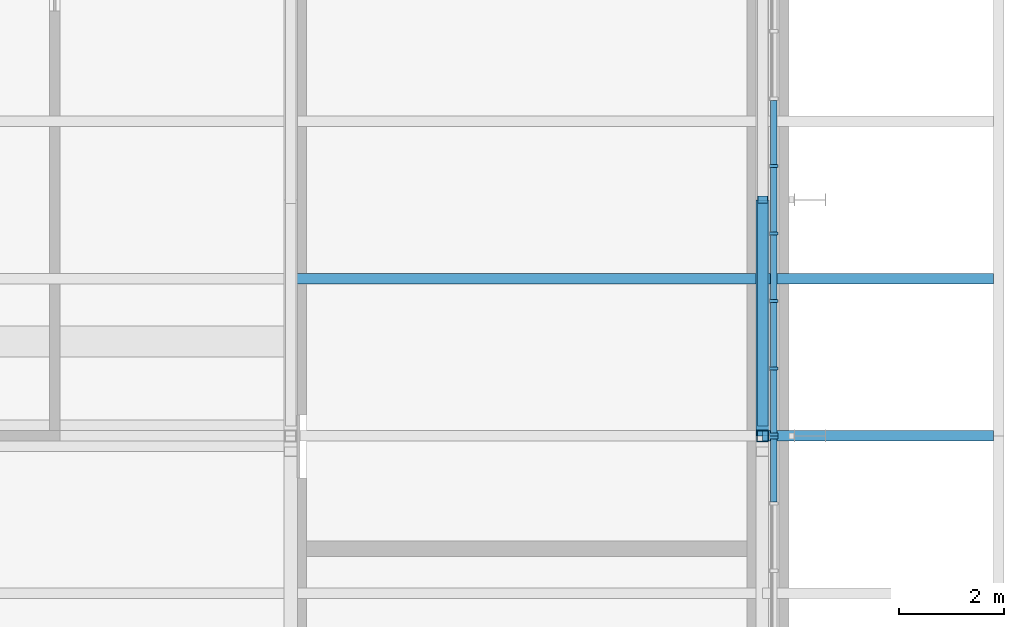
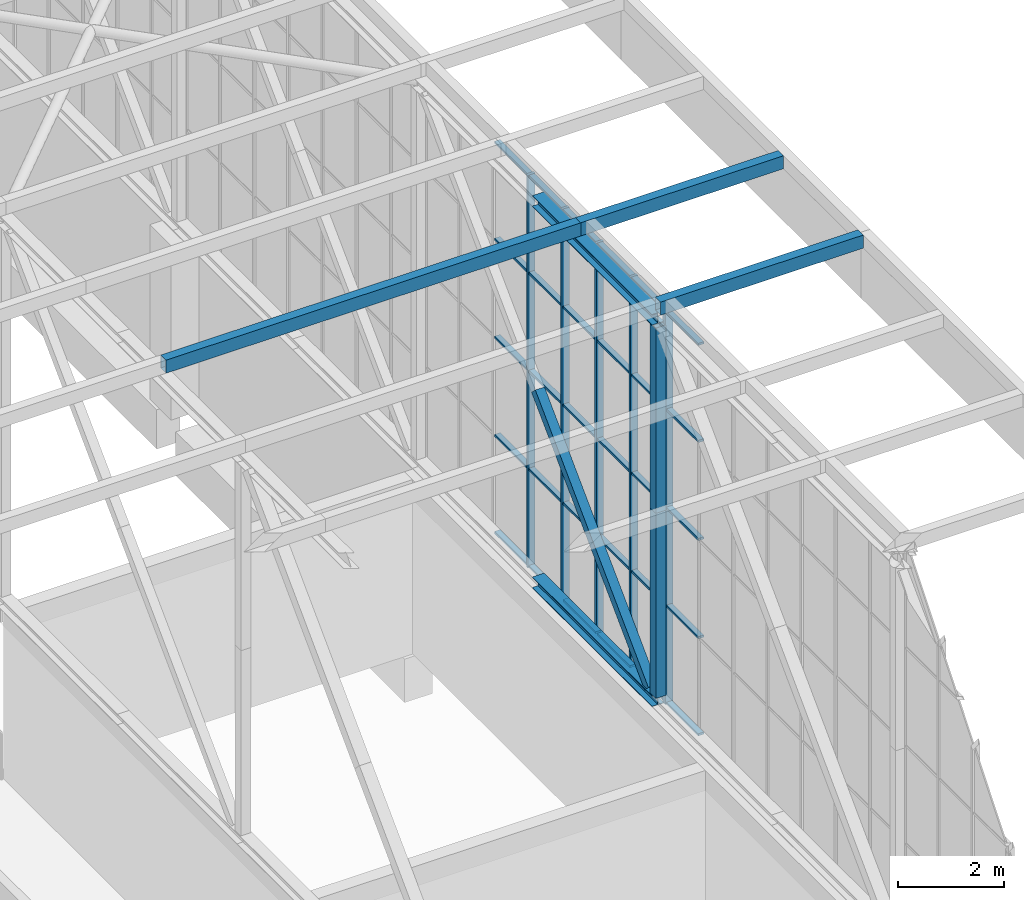
# One storey, part 103 of 646: 44 members, 2 elements without a shape of their own.
"""IFC4 building model written with IfcOpenShell, lengths in metres."""

from ifc_helpers import new_model, si_unit, direction, frame, origin, origin_2d, place, context, subcontext, project, spatial, rectangle, hollow_rectangle, i_section, extrude, material, material_profile, profile_set, type_object, element, aggregate, save


model = new_model("IFC4")

# Units and contexts
model_context = context("Model", 3, precision=1e-05, world=origin(), true_north=direction((0.0, 1.0)))
body_context = subcontext(model_context, "Body", "Model", "MODEL_VIEW")
ifc_project = project(units=[si_unit("LENGTHUNIT", "METRE"), si_unit("AREAUNIT", "SQUARE_METRE"), si_unit("VOLUMEUNIT", "CUBIC_METRE"), si_unit("PLANEANGLEUNIT", "RADIAN"), si_unit("MASSUNIT", "GRAM", prefix="KILO")], contexts=[model_context])

# Site, building, storey
site_placement = place(None, origin())
site = spatial("IfcSite", under=ifc_project, at=site_placement, CompositionType="ELEMENT")
building_placement = place(site_placement, origin())
building = spatial("IfcBuilding", under=site, at=building_placement, Name="Silverbay Arena", CompositionType="ELEMENT")
storey_placement = place(building_placement, frame((0.0, 0.0, 33.5)))
storey = spatial("IfcBuildingStorey", under=building, at=storey_placement, Name="L05", CompositionType="ELEMENT", Elevation=33.5)

# Curtain wall, member
ifc_material_1 = material(Name="Aluminium framed glazing", Category="aluminium")
curtain_wall_type = type_object("IfcCurtainWallType", Name="Curtain wall clerestory 9000 x 9000", PredefinedType="NOTDEFINED", material=ifc_material_1)
curtain_wall_1_placement = place(storey_placement, origin())
curtain_wall_1 = element("IfcCurtainWall", 1, at=curtain_wall_1_placement, inside=storey, type_object=curtain_wall_type, Name="ROOF GABLE CLERESTORY CURTAIN WALL east bay 10", PredefinedType="NOTDEFINED")
ifc_material_2 = material(Name="Aluminium", Category="aluminium")
ifc_material_profile_1 = material_profile(ifc_material_2, rectangle(XDim=0.159912109375, YDim=0.06005859375, at=origin_2d()), Name="Mullion 60 x 160")
ifc_profile_set_1 = profile_set([ifc_material_profile_1], Name="Aluminium")
member_type_1 = type_object("IfcMemberType", Name="Mullion 60 x 160", PredefinedType="MULLION", material=ifc_profile_set_1)
member_1_placement = place(storey_placement, frame((207.2099609375, 98.969970703125, 4.0), z_axis=(0.0, 0.0, 1.0), x_axis=(-1.0, 0.0, 0.0)))
member_1 = element("IfcMember", 2, at=member_1_placement, type_object=member_type_1, Name="CW60 mullion 8", PredefinedType="MULLION", context=body_context, shape_type="SweptSolid", body=[
    extrude(rectangle(XDim=0.159912109375, YDim=0.06005859375, at=origin_2d()), origin(), (0.0, 0.0, 1.0), 9.0),
])

# Curtain wall, members
curtain_wall_2_placement = place(storey_placement, origin())
curtain_wall_2 = element("IfcCurtainWall", 3, at=curtain_wall_2_placement, inside=storey, type_object=curtain_wall_type, Name="ROOF GABLE CLERESTORY CURTAIN WALL east bay 11", PredefinedType="NOTDEFINED")
member_2_placement = place(storey_placement, frame((207.2099609375, 99.030029296875, 4.0), z_axis=(0.0, 0.0, 1.0), x_axis=(-1.0, 0.0, 0.0)))
member_2 = element("IfcMember", 4, at=member_2_placement, type_object=member_type_1, Name="CW60 mullion 1", PredefinedType="MULLION", context=body_context, shape_type="SweptSolid", body=[
    extrude(rectangle(XDim=0.159912109375, YDim=0.06005859375, at=origin_2d()), origin(), (0.0, 0.0, 1.0), 9.0),
])
member_3_placement = place(storey_placement, frame((207.2099609375, 100.28564453125, 4.0), z_axis=(0.0, 0.0, 1.0), x_axis=(-1.0, 0.0, 0.0)))
member_3 = element("IfcMember", 5, at=member_3_placement, type_object=member_type_1, Name="CW60 mullion 2", PredefinedType="MULLION", context=body_context, shape_type="SweptSolid", body=[
    extrude(rectangle(XDim=0.159912109375, YDim=0.06005859375, at=origin_2d()), origin(), (0.0, 0.0, 1.0), 9.0),
])
member_4_placement = place(storey_placement, frame((207.2099609375, 101.571533203125, 4.0), z_axis=(0.0, 0.0, 1.0), x_axis=(-1.0, 0.0, 0.0)))
member_4 = element("IfcMember", 6, at=member_4_placement, type_object=member_type_1, Name="CW60 mullion 3", PredefinedType="MULLION", context=body_context, shape_type="SweptSolid", body=[
    extrude(rectangle(XDim=0.159912109375, YDim=0.06005859375, at=origin_2d()), origin(), (0.0, 0.0, 1.0), 9.0),
])
member_5_placement = place(storey_placement, frame((207.2099609375, 102.857177734375, 4.0), z_axis=(0.0, 0.0, 1.0), x_axis=(-1.0, 0.0, 0.0)))
member_5 = element("IfcMember", 7, at=member_5_placement, type_object=member_type_1, Name="CW60 mullion 4", PredefinedType="MULLION", context=body_context, shape_type="SweptSolid", body=[
    extrude(rectangle(XDim=0.159912109375, YDim=0.06005859375, at=origin_2d()), origin(), (0.0, 0.0, 1.0), 9.0),
])
member_6_placement = place(storey_placement, frame((207.2099609375, 104.142822265625, 4.0), z_axis=(0.0, 0.0, 1.0), x_axis=(-1.0, 0.0, 0.0)))
member_6 = element("IfcMember", 8, at=member_6_placement, type_object=member_type_1, Name="CW60 mullion 5", PredefinedType="MULLION", context=body_context, shape_type="SweptSolid", body=[
    extrude(rectangle(XDim=0.159912109375, YDim=0.06005859375, at=origin_2d()), origin(), (0.0, 0.0, 1.0), 9.0),
])

# Members
ifc_material_3 = material(Name="Steel S355", Category="steel")
ifc_material_profile_2 = material_profile(ifc_material_3, hollow_rectangle(XDim=0.199951171875, YDim=0.300048828125, WallThickness=0.008056640625, at=origin_2d()), Name="RHS 300x200x8")
ifc_profile_set_2 = profile_set([ifc_material_profile_2], Name="Steel S355")
member_type_2 = type_object("IfcMemberType", Name="Purlin RHS 300x200x8", PredefinedType="PURLIN", material=ifc_profile_set_2)
member_7_placement = place(storey_placement, frame((198.0, 102.0, 13.14990234375), z_axis=(1.0, 0.0, 0.0), x_axis=(0.0, 1.0, 0.0)))
element("IfcMember", 9, at=member_7_placement, inside=storey, type_object=member_type_2, Name="ROOF PURLIN 23-24 line 32", PredefinedType="PURLIN", context=body_context, shape_type="SweptSolid", body=[
    extrude(hollow_rectangle(XDim=0.199951171875, YDim=0.300048828125, WallThickness=0.008056640625, at=origin_2d()), origin(), (0.0, 0.0, 1.0), 9.0),
])
for number, where, z_axis, x_axis, name in (
    (10, (211.39990234375, 99.0, 13.14990234375), (-1.0, 0.0, 0.0), (0.0, -1.0, 0.0), "ROOF PURLIN east eave line 31"),
    (11, (211.39990234375, 102.0, 13.14990234375), (-1.0, 0.0, 0.0), (0.0, -1.0, 0.0), "ROOF PURLIN east eave line 32"),
):
    element("IfcMember", number, at=place(storey_placement, frame(where, z_axis=z_axis, x_axis=x_axis)), inside=storey, type_object=member_type_2, Name=name, PredefinedType="PURLIN", context=body_context, shape_type="SweptSolid", body=[
        extrude(hollow_rectangle(XDim=0.199951171875, YDim=0.300048828125, WallThickness=0.008056640625, at=origin_2d()), origin(), (0.0, 0.0, 1.0), 4.39990234375),
    ])
ifc_material_4 = material(Name="Steel S355", Category="steel")
ifc_material_profile_3 = material_profile(ifc_material_4, i_section(OverallWidth=0.254638671875, OverallDepth=0.254150390625, WebThickness=0.008544921875, FlangeThickness=0.01416015625, at=origin_2d()), Name="UC 254x254x73")
ifc_profile_set_3 = profile_set([ifc_material_profile_3], Name="Steel S355")
member_type_3 = type_object("IfcMemberType", Name="Short-span bottom chord UC 254x254x73", PredefinedType="CHORD", material=ifc_profile_set_3)
member_8_placement = place(storey_placement, frame((207.0, 99.0, 4.126953125), z_axis=(0.0, 1.0, 0.0), x_axis=(-1.0, 0.0, 0.0)))
element("IfcMember", 12, at=member_8_placement, inside=storey, type_object=member_type_3, Name="ROOF TRUSS 24 bottom chord 11a", PredefinedType="CHORD", context=body_context, shape_type="SweptSolid", body=[
    extrude(i_section(OverallWidth=0.254638671875, OverallDepth=0.254150390625, WebThickness=0.008544921875, FlangeThickness=0.01416015625, at=origin_2d()), origin(), (0.0, 0.0, 1.0), 4.5),
])
ifc_material_5 = material(Name="Steel S355", Category="steel")
ifc_material_profile_4 = material_profile(ifc_material_5, i_section(OverallWidth=0.254638671875, OverallDepth=0.254150390625, WebThickness=0.008544921875, FlangeThickness=0.01416015625, at=origin_2d()), Name="UC 254x254x73")
ifc_profile_set_4 = profile_set([ifc_material_profile_4], Name="Steel S355")
member_type_4 = type_object("IfcMemberType", Name="Short-span top chord UC 254x254x73", PredefinedType="CHORD", material=ifc_profile_set_4)
member_9_placement = place(storey_placement, frame((207.0, 99.0, 12.873046875), z_axis=(0.0, 1.0, 0.0), x_axis=(-1.0, 0.0, 0.0)))
element("IfcMember", 13, at=member_9_placement, inside=storey, type_object=member_type_4, Name="ROOF TRUSS 24 top chord 11a", PredefinedType="CHORD", context=body_context, shape_type="SweptSolid", body=[
    extrude(i_section(OverallWidth=0.254638671875, OverallDepth=0.254150390625, WebThickness=0.008544921875, FlangeThickness=0.01416015625, at=origin_2d()), origin(), (0.0, 0.0, 1.0), 4.5),
])
ifc_material_6 = material(Name="Steel S355", Category="steel")
ifc_material_profile_5 = material_profile(ifc_material_6, hollow_rectangle(XDim=0.199951171875, YDim=0.199951171875, WallThickness=0.008056640625, at=origin_2d()), Name="SHS 200x200x8")
ifc_profile_set_5 = profile_set([ifc_material_profile_5], Name="Steel S355")
member_type_5 = type_object("IfcMemberType", Name="Short-span truss diagonal SHS 200x200x8", PredefinedType="BRACE", material=ifc_profile_set_5)
member_10_placement = place(storey_placement, frame((207.0, 103.5048828125, 8.5), z_axis=(0.0, -0.707391224876, -0.706822223029), x_axis=(1.0, 0.0, 0.0)))
element("IfcMember", 14, at=member_10_placement, inside=storey, type_object=member_type_5, Name="ROOF TRUSS 24 diagonal 11b", PredefinedType="BRACE", context=body_context, shape_type="SweptSolid", body=[
    extrude(hollow_rectangle(XDim=0.199951171875, YDim=0.199951171875, WallThickness=0.008056640625, at=origin_2d()), origin(), (0.0, 0.0, 1.0), 6.0068359375),
])
ifc_material_7 = material(Name="Steel S355", Category="steel")
ifc_material_profile_6 = material_profile(ifc_material_7, hollow_rectangle(XDim=0.219970703125, YDim=0.219970703125, WallThickness=0.008056640625, at=origin_2d()), Name="SHS 220x220x8")
ifc_profile_set_6 = profile_set([ifc_material_profile_6], Name="Steel S355")
member_type_6 = type_object("IfcMemberType", Name="Short-span truss vertical SHS 220x220x8", PredefinedType="STRUT", material=ifc_profile_set_6)
for number, where, z_axis, x_axis, name in (
    (15, (207.0, 99.0, 4.254150390625), (0.0, 0.0, 1.0), (1.0, 0.0, 0.0), "ROOF TRUSS 24 vertical 11a"),
    (16, (207.0, 99.0, 8.5), (0.0, 0.0, 1.0), (1.0, 0.0, 0.0), "ROOF TRUSS 24 vertical 11b"),
):
    element("IfcMember", number, at=place(storey_placement, frame(where, z_axis=z_axis, x_axis=x_axis)), inside=storey, type_object=member_type_6, Name=name, PredefinedType="STRUT", context=body_context, shape_type="SweptSolid", body=[
        extrude(hollow_rectangle(XDim=0.219970703125, YDim=0.219970703125, WallThickness=0.008056640625, at=origin_2d()), origin(), (0.0, 0.0, 1.0), 4.245849609375),
    ])

# Member
ifc_material_8 = material(Name="Aluminium", Category="aluminium")
ifc_material_profile_7 = material_profile(ifc_material_8, rectangle(XDim=0.1201171875, YDim=0.050048828125, at=origin_2d()), Name="Transom 50 x 120")
ifc_profile_set_7 = profile_set([ifc_material_profile_7], Name="Aluminium")
member_type_7 = type_object("IfcMemberType", Name="Transom 50 x 120", PredefinedType="USERDEFINED", material=ifc_profile_set_7)
member_11_placement = place(storey_placement, frame((207.2099609375, 97.744384765625, 4.02490234375), z_axis=(0.0, 1.0, 0.0), x_axis=(-1.0, 0.0, 0.0)))
member_11 = element("IfcMember", 17, at=member_11_placement, type_object=member_type_7, Name="CW60 transom 7.1", ObjectType="TRANSOM", PredefinedType="USERDEFINED", context=body_context, shape_type="SweptSolid", body=[
    extrude(rectangle(XDim=0.1201171875, YDim=0.050048828125, at=origin_2d()), origin(), (0.0, 0.0, 1.0), 1.195556640625),
])

member_12_placement = place(storey_placement, frame((207.2099609375, 97.744384765625, 6.25), z_axis=(0.0, 1.0, 0.0), x_axis=(-1.0, 0.0, 0.0)))
member_12 = element("IfcMember", 18, at=member_12_placement, type_object=member_type_7, Name="CW60 transom 7.2", ObjectType="TRANSOM", PredefinedType="USERDEFINED", context=body_context, shape_type="SweptSolid", body=[
    extrude(rectangle(XDim=0.1201171875, YDim=0.050048828125, at=origin_2d()), origin(), (0.0, 0.0, 1.0), 1.195556640625),
])

member_13_placement = place(storey_placement, frame((207.2099609375, 97.744384765625, 8.5), z_axis=(0.0, 1.0, 0.0), x_axis=(-1.0, 0.0, 0.0)))
member_13 = element("IfcMember", 19, at=member_13_placement, type_object=member_type_7, Name="CW60 transom 7.3", ObjectType="TRANSOM", PredefinedType="USERDEFINED", context=body_context, shape_type="SweptSolid", body=[
    extrude(rectangle(XDim=0.1201171875, YDim=0.050048828125, at=origin_2d()), origin(), (0.0, 0.0, 1.0), 1.195556640625),
])

member_14_placement = place(storey_placement, frame((207.2099609375, 97.744384765625, 10.75), z_axis=(0.0, 1.0, 0.0), x_axis=(-1.0, 0.0, 0.0)))
member_14 = element("IfcMember", 20, at=member_14_placement, type_object=member_type_7, Name="CW60 transom 7.4", ObjectType="TRANSOM", PredefinedType="USERDEFINED", context=body_context, shape_type="SweptSolid", body=[
    extrude(rectangle(XDim=0.1201171875, YDim=0.050048828125, at=origin_2d()), origin(), (0.0, 0.0, 1.0), 1.195556640625),
])

member_15_placement = place(storey_placement, frame((207.2099609375, 97.744384765625, 12.97509765625), z_axis=(0.0, 1.0, 0.0), x_axis=(-1.0, 0.0, 0.0)))
member_15 = element("IfcMember", 21, at=member_15_placement, type_object=member_type_7, Name="CW60 transom 7.5", ObjectType="TRANSOM", PredefinedType="USERDEFINED", context=body_context, shape_type="SweptSolid", body=[
    extrude(rectangle(XDim=0.1201171875, YDim=0.050048828125, at=origin_2d()), origin(), (0.0, 0.0, 1.0), 1.195556640625),
])

aggregate(curtain_wall_1, [member_1, member_11, member_12, member_13, member_14, member_15])

member_16_placement = place(storey_placement, frame((207.2099609375, 99.06005859375, 4.02490234375), z_axis=(0.0, 1.0, 0.0), x_axis=(-1.0, 0.0, 0.0)))
member_16 = element("IfcMember", 22, at=member_16_placement, type_object=member_type_7, Name="CW60 transom 1.1", ObjectType="TRANSOM", PredefinedType="USERDEFINED", context=body_context, shape_type="SweptSolid", body=[
    extrude(rectangle(XDim=0.1201171875, YDim=0.050048828125, at=origin_2d()), origin(), (0.0, 0.0, 1.0), 1.195556640625),
])

member_17_placement = place(storey_placement, frame((207.2099609375, 99.06005859375, 6.25), z_axis=(0.0, 1.0, 0.0), x_axis=(-1.0, 0.0, 0.0)))
member_17 = element("IfcMember", 23, at=member_17_placement, type_object=member_type_7, Name="CW60 transom 1.2", ObjectType="TRANSOM", PredefinedType="USERDEFINED", context=body_context, shape_type="SweptSolid", body=[
    extrude(rectangle(XDim=0.1201171875, YDim=0.050048828125, at=origin_2d()), origin(), (0.0, 0.0, 1.0), 1.195556640625),
])

member_18_placement = place(storey_placement, frame((207.2099609375, 99.06005859375, 8.5), z_axis=(0.0, 1.0, 0.0), x_axis=(-1.0, 0.0, 0.0)))
member_18 = element("IfcMember", 24, at=member_18_placement, type_object=member_type_7, Name="CW60 transom 1.3", ObjectType="TRANSOM", PredefinedType="USERDEFINED", context=body_context, shape_type="SweptSolid", body=[
    extrude(rectangle(XDim=0.1201171875, YDim=0.050048828125, at=origin_2d()), origin(), (0.0, 0.0, 1.0), 1.195556640625),
])

member_19_placement = place(storey_placement, frame((207.2099609375, 99.06005859375, 10.75), z_axis=(0.0, 1.0, 0.0), x_axis=(-1.0, 0.0, 0.0)))
member_19 = element("IfcMember", 25, at=member_19_placement, type_object=member_type_7, Name="CW60 transom 1.4", ObjectType="TRANSOM", PredefinedType="USERDEFINED", context=body_context, shape_type="SweptSolid", body=[
    extrude(rectangle(XDim=0.1201171875, YDim=0.050048828125, at=origin_2d()), origin(), (0.0, 0.0, 1.0), 1.195556640625),
])

member_20_placement = place(storey_placement, frame((207.2099609375, 99.06005859375, 12.97509765625), z_axis=(0.0, 1.0, 0.0), x_axis=(-1.0, 0.0, 0.0)))
member_20 = element("IfcMember", 26, at=member_20_placement, type_object=member_type_7, Name="CW60 transom 1.5", ObjectType="TRANSOM", PredefinedType="USERDEFINED", context=body_context, shape_type="SweptSolid", body=[
    extrude(rectangle(XDim=0.1201171875, YDim=0.050048828125, at=origin_2d()), origin(), (0.0, 0.0, 1.0), 1.195556640625),
])

member_21_placement = place(storey_placement, frame((207.2099609375, 100.315673828125, 4.02490234375), z_axis=(0.0, 1.0, 0.0), x_axis=(-1.0, 0.0, 0.0)))
member_21 = element("IfcMember", 27, at=member_21_placement, type_object=member_type_7, Name="CW60 transom 2.1", ObjectType="TRANSOM", PredefinedType="USERDEFINED", context=body_context, shape_type="SweptSolid", body=[
    extrude(rectangle(XDim=0.1201171875, YDim=0.050048828125, at=origin_2d()), origin(), (0.0, 0.0, 1.0), 1.225830078125),
])

member_22_placement = place(storey_placement, frame((207.2099609375, 100.315673828125, 6.25), z_axis=(0.0, 1.0, 0.0), x_axis=(-1.0, 0.0, 0.0)))
member_22 = element("IfcMember", 28, at=member_22_placement, type_object=member_type_7, Name="CW60 transom 2.2", ObjectType="TRANSOM", PredefinedType="USERDEFINED", context=body_context, shape_type="SweptSolid", body=[
    extrude(rectangle(XDim=0.1201171875, YDim=0.050048828125, at=origin_2d()), origin(), (0.0, 0.0, 1.0), 1.225830078125),
])

member_23_placement = place(storey_placement, frame((207.2099609375, 100.315673828125, 8.5), z_axis=(0.0, 1.0, 0.0), x_axis=(-1.0, 0.0, 0.0)))
member_23 = element("IfcMember", 29, at=member_23_placement, type_object=member_type_7, Name="CW60 transom 2.3", ObjectType="TRANSOM", PredefinedType="USERDEFINED", context=body_context, shape_type="SweptSolid", body=[
    extrude(rectangle(XDim=0.1201171875, YDim=0.050048828125, at=origin_2d()), origin(), (0.0, 0.0, 1.0), 1.225830078125),
])

member_24_placement = place(storey_placement, frame((207.2099609375, 100.315673828125, 10.75), z_axis=(0.0, 1.0, 0.0), x_axis=(-1.0, 0.0, 0.0)))
member_24 = element("IfcMember", 30, at=member_24_placement, type_object=member_type_7, Name="CW60 transom 2.4", ObjectType="TRANSOM", PredefinedType="USERDEFINED", context=body_context, shape_type="SweptSolid", body=[
    extrude(rectangle(XDim=0.1201171875, YDim=0.050048828125, at=origin_2d()), origin(), (0.0, 0.0, 1.0), 1.225830078125),
])

member_25_placement = place(storey_placement, frame((207.2099609375, 100.315673828125, 12.97509765625), z_axis=(0.0, 1.0, 0.0), x_axis=(-1.0, 0.0, 0.0)))
member_25 = element("IfcMember", 31, at=member_25_placement, type_object=member_type_7, Name="CW60 transom 2.5", ObjectType="TRANSOM", PredefinedType="USERDEFINED", context=body_context, shape_type="SweptSolid", body=[
    extrude(rectangle(XDim=0.1201171875, YDim=0.050048828125, at=origin_2d()), origin(), (0.0, 0.0, 1.0), 1.225830078125),
])

member_26_placement = place(storey_placement, frame((207.2099609375, 101.601318359375, 4.02490234375), z_axis=(0.0, 1.0, 0.0), x_axis=(-1.0, 0.0, 0.0)))
member_26 = element("IfcMember", 32, at=member_26_placement, type_object=member_type_7, Name="CW60 transom 3.1", ObjectType="TRANSOM", PredefinedType="USERDEFINED", context=body_context, shape_type="SweptSolid", body=[
    extrude(rectangle(XDim=0.1201171875, YDim=0.050048828125, at=origin_2d()), origin(), (0.0, 0.0, 1.0), 1.225830078125),
])

member_27_placement = place(storey_placement, frame((207.2099609375, 101.601318359375, 6.25), z_axis=(0.0, 1.0, 0.0), x_axis=(-1.0, 0.0, 0.0)))
member_27 = element("IfcMember", 33, at=member_27_placement, type_object=member_type_7, Name="CW60 transom 3.2", ObjectType="TRANSOM", PredefinedType="USERDEFINED", context=body_context, shape_type="SweptSolid", body=[
    extrude(rectangle(XDim=0.1201171875, YDim=0.050048828125, at=origin_2d()), origin(), (0.0, 0.0, 1.0), 1.225830078125),
])

member_28_placement = place(storey_placement, frame((207.2099609375, 101.601318359375, 8.5), z_axis=(0.0, 1.0, 0.0), x_axis=(-1.0, 0.0, 0.0)))
member_28 = element("IfcMember", 34, at=member_28_placement, type_object=member_type_7, Name="CW60 transom 3.3", ObjectType="TRANSOM", PredefinedType="USERDEFINED", context=body_context, shape_type="SweptSolid", body=[
    extrude(rectangle(XDim=0.1201171875, YDim=0.050048828125, at=origin_2d()), origin(), (0.0, 0.0, 1.0), 1.225830078125),
])

member_29_placement = place(storey_placement, frame((207.2099609375, 101.601318359375, 10.75), z_axis=(0.0, 1.0, 0.0), x_axis=(-1.0, 0.0, 0.0)))
member_29 = element("IfcMember", 35, at=member_29_placement, type_object=member_type_7, Name="CW60 transom 3.4", ObjectType="TRANSOM", PredefinedType="USERDEFINED", context=body_context, shape_type="SweptSolid", body=[
    extrude(rectangle(XDim=0.1201171875, YDim=0.050048828125, at=origin_2d()), origin(), (0.0, 0.0, 1.0), 1.225830078125),
])

member_30_placement = place(storey_placement, frame((207.2099609375, 101.601318359375, 12.97509765625), z_axis=(0.0, 1.0, 0.0), x_axis=(-1.0, 0.0, 0.0)))
member_30 = element("IfcMember", 36, at=member_30_placement, type_object=member_type_7, Name="CW60 transom 3.5", ObjectType="TRANSOM", PredefinedType="USERDEFINED", context=body_context, shape_type="SweptSolid", body=[
    extrude(rectangle(XDim=0.1201171875, YDim=0.050048828125, at=origin_2d()), origin(), (0.0, 0.0, 1.0), 1.225830078125),
])

member_31_placement = place(storey_placement, frame((207.2099609375, 102.88720703125, 4.02490234375), z_axis=(0.0, 1.0, 0.0), x_axis=(-1.0, 0.0, 0.0)))
member_31 = element("IfcMember", 37, at=member_31_placement, type_object=member_type_7, Name="CW60 transom 4.1", ObjectType="TRANSOM", PredefinedType="USERDEFINED", context=body_context, shape_type="SweptSolid", body=[
    extrude(rectangle(XDim=0.1201171875, YDim=0.050048828125, at=origin_2d()), origin(), (0.0, 0.0, 1.0), 1.2255859375),
])

member_32_placement = place(storey_placement, frame((207.2099609375, 102.88720703125, 6.25), z_axis=(0.0, 1.0, 0.0), x_axis=(-1.0, 0.0, 0.0)))
member_32 = element("IfcMember", 38, at=member_32_placement, type_object=member_type_7, Name="CW60 transom 4.2", ObjectType="TRANSOM", PredefinedType="USERDEFINED", context=body_context, shape_type="SweptSolid", body=[
    extrude(rectangle(XDim=0.1201171875, YDim=0.050048828125, at=origin_2d()), origin(), (0.0, 0.0, 1.0), 1.2255859375),
])

member_33_placement = place(storey_placement, frame((207.2099609375, 102.88720703125, 8.5), z_axis=(0.0, 1.0, 0.0), x_axis=(-1.0, 0.0, 0.0)))
member_33 = element("IfcMember", 39, at=member_33_placement, type_object=member_type_7, Name="CW60 transom 4.3", ObjectType="TRANSOM", PredefinedType="USERDEFINED", context=body_context, shape_type="SweptSolid", body=[
    extrude(rectangle(XDim=0.1201171875, YDim=0.050048828125, at=origin_2d()), origin(), (0.0, 0.0, 1.0), 1.2255859375),
])

member_34_placement = place(storey_placement, frame((207.2099609375, 102.88720703125, 10.75), z_axis=(0.0, 1.0, 0.0), x_axis=(-1.0, 0.0, 0.0)))
member_34 = element("IfcMember", 40, at=member_34_placement, type_object=member_type_7, Name="CW60 transom 4.4", ObjectType="TRANSOM", PredefinedType="USERDEFINED", context=body_context, shape_type="SweptSolid", body=[
    extrude(rectangle(XDim=0.1201171875, YDim=0.050048828125, at=origin_2d()), origin(), (0.0, 0.0, 1.0), 1.2255859375),
])

member_35_placement = place(storey_placement, frame((207.2099609375, 102.88720703125, 12.97509765625), z_axis=(0.0, 1.0, 0.0), x_axis=(-1.0, 0.0, 0.0)))
member_35 = element("IfcMember", 41, at=member_35_placement, type_object=member_type_7, Name="CW60 transom 4.5", ObjectType="TRANSOM", PredefinedType="USERDEFINED", context=body_context, shape_type="SweptSolid", body=[
    extrude(rectangle(XDim=0.1201171875, YDim=0.050048828125, at=origin_2d()), origin(), (0.0, 0.0, 1.0), 1.2255859375),
])

member_36_placement = place(storey_placement, frame((207.2099609375, 104.1728515625, 4.02490234375), z_axis=(0.0, 1.0, 0.0), x_axis=(-1.0, 0.0, 0.0)))
member_36 = element("IfcMember", 42, at=member_36_placement, type_object=member_type_7, Name="CW60 transom 5.1", ObjectType="TRANSOM", PredefinedType="USERDEFINED", context=body_context, shape_type="SweptSolid", body=[
    extrude(rectangle(XDim=0.1201171875, YDim=0.050048828125, at=origin_2d()), origin(), (0.0, 0.0, 1.0), 1.225830078125),
])

member_37_placement = place(storey_placement, frame((207.2099609375, 104.1728515625, 6.25), z_axis=(0.0, 1.0, 0.0), x_axis=(-1.0, 0.0, 0.0)))
member_37 = element("IfcMember", 43, at=member_37_placement, type_object=member_type_7, Name="CW60 transom 5.2", ObjectType="TRANSOM", PredefinedType="USERDEFINED", context=body_context, shape_type="SweptSolid", body=[
    extrude(rectangle(XDim=0.1201171875, YDim=0.050048828125, at=origin_2d()), origin(), (0.0, 0.0, 1.0), 1.225830078125),
])

member_38_placement = place(storey_placement, frame((207.2099609375, 104.1728515625, 8.5), z_axis=(0.0, 1.0, 0.0), x_axis=(-1.0, 0.0, 0.0)))
member_38 = element("IfcMember", 44, at=member_38_placement, type_object=member_type_7, Name="CW60 transom 5.3", ObjectType="TRANSOM", PredefinedType="USERDEFINED", context=body_context, shape_type="SweptSolid", body=[
    extrude(rectangle(XDim=0.1201171875, YDim=0.050048828125, at=origin_2d()), origin(), (0.0, 0.0, 1.0), 1.225830078125),
])

member_39_placement = place(storey_placement, frame((207.2099609375, 104.1728515625, 10.75), z_axis=(0.0, 1.0, 0.0), x_axis=(-1.0, 0.0, 0.0)))
member_39 = element("IfcMember", 45, at=member_39_placement, type_object=member_type_7, Name="CW60 transom 5.4", ObjectType="TRANSOM", PredefinedType="USERDEFINED", context=body_context, shape_type="SweptSolid", body=[
    extrude(rectangle(XDim=0.1201171875, YDim=0.050048828125, at=origin_2d()), origin(), (0.0, 0.0, 1.0), 1.225830078125),
])

member_40_placement = place(storey_placement, frame((207.2099609375, 104.1728515625, 12.97509765625), z_axis=(0.0, 1.0, 0.0), x_axis=(-1.0, 0.0, 0.0)))
member_40 = element("IfcMember", 46, at=member_40_placement, type_object=member_type_7, Name="CW60 transom 5.5", ObjectType="TRANSOM", PredefinedType="USERDEFINED", context=body_context, shape_type="SweptSolid", body=[
    extrude(rectangle(XDim=0.1201171875, YDim=0.050048828125, at=origin_2d()), origin(), (0.0, 0.0, 1.0), 1.225830078125),
])

aggregate(curtain_wall_2, [member_2, member_3, member_4, member_5, member_6, member_16, member_17, member_18, member_19, member_20, member_21, member_22, member_23, member_24, member_25, member_26, member_27, member_28, member_29, member_30, member_31, member_32, member_33, member_34, member_35, member_36, member_37, member_38, member_39, member_40])

save(model, "model.ifc")
